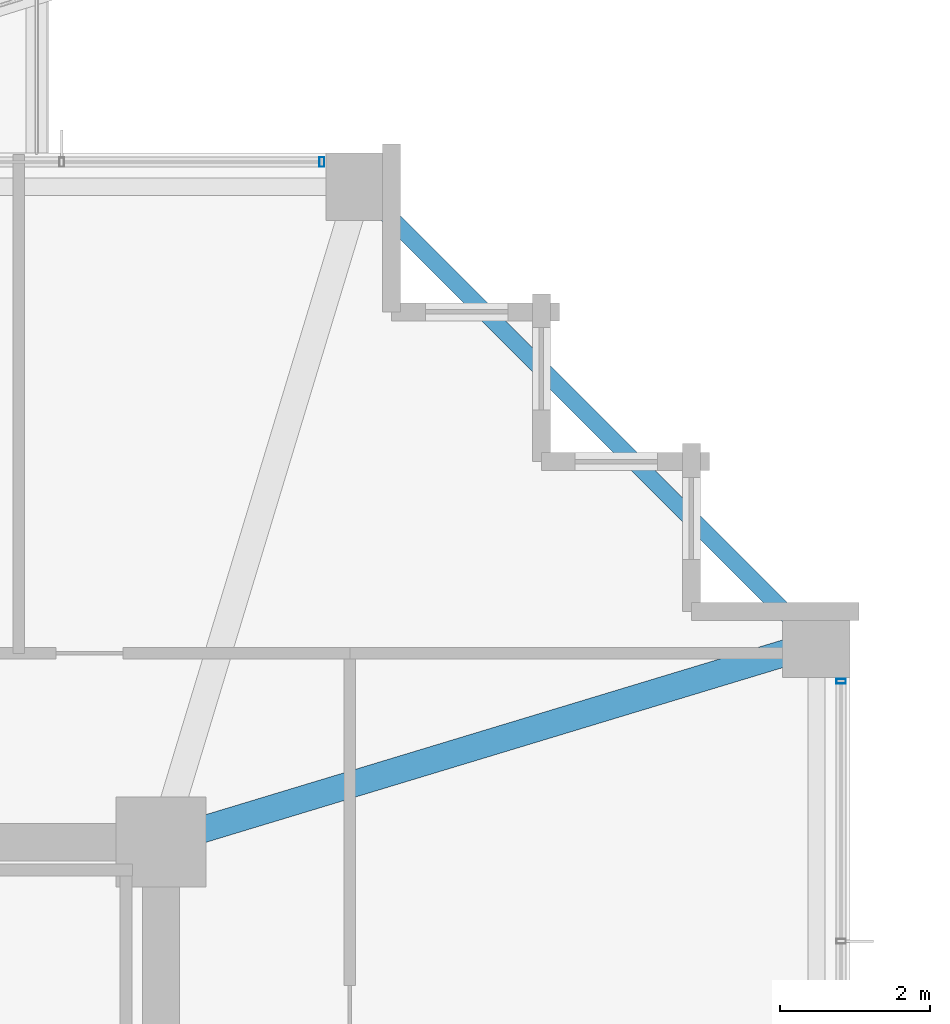
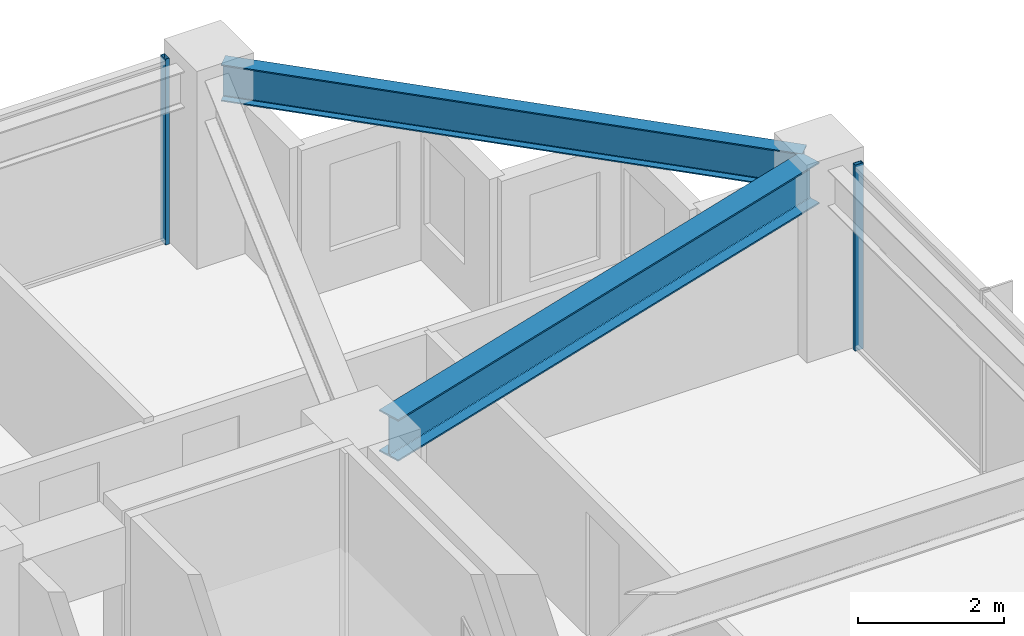
# One storey, part 20 of 32: 2 beams, 2 members, 2 elements without a shape of their own.
"""IFC4 building model written with IfcOpenShell, lengths in metres."""

from ifc_helpers import new_model, si_unit, direction, frame, origin, origin_2d, place, context, subcontext, project, spatial, hollow_rectangle, i_section, extrude, material, material_profile, profile_set, type_object, element, aggregate, save


model = new_model("IFC4")

# Units and contexts
model_context = context("Model", 3, precision=1e-05, world=origin(), true_north=direction((0.0, 1.0)))
body_context = subcontext(model_context, "Body", "Model", "MODEL_VIEW")
ifc_project = project(units=[si_unit("LENGTHUNIT", "METRE"), si_unit("AREAUNIT", "SQUARE_METRE"), si_unit("VOLUMEUNIT", "CUBIC_METRE"), si_unit("PLANEANGLEUNIT", "RADIAN"), si_unit("MASSUNIT", "GRAM", prefix="KILO")], contexts=[model_context])

# Site, building, storey
site_placement = place(None, origin())
site = spatial("IfcSite", under=ifc_project, at=site_placement, CompositionType="ELEMENT")
building_placement = place(site_placement, origin())
building = spatial("IfcBuilding", under=site, at=building_placement, Name="Kolvaren Belvedere", CompositionType="ELEMENT")
storey_placement = place(building_placement, frame((0.0, 0.0, 160.199951171875)))
storey = spatial("IfcBuildingStorey", under=building, at=storey_placement, Name="L46", CompositionType="ELEMENT", Elevation=160.199951171875)

# Beams
ifc_material_1 = material(Name="Structural steel ASTM A992 Grade 50", Category="steel")
ifc_material_profile_1 = material_profile(ifc_material_1, i_section(OverallWidth=0.35498046875, OverallDepth=0.696044921875, WebThickness=0.015380859375, FlangeThickness=0.02490234375, FilletRadius=0.02197265625, at=origin_2d()), Name="W27X146")
ifc_profile_set_1 = profile_set([ifc_material_profile_1], Name="Structural steel ASTM A992 Grade 50")
beam_type_1 = type_object("IfcBeamType", Name="BM-GIRD-W27X146", PredefinedType="BEAM", material=ifc_profile_set_1)
beam_1_placement = place(storey_placement, frame((10.426513671875, 10.059326171875, 2.751953125), z_axis=(0.957067352423, 0.289865629086, 0.0), x_axis=(-0.289865629086, 0.957067352423, 0.0)))
element("IfcBeam", 1, at=beam_1_placement, inside=storey, type_object=beam_type_1, Name="L46 Corner Core-to-Perimeter Girder CC3-E4", PredefinedType="BEAM", context=body_context, shape_type="SweptSolid", body=[
    extrude(i_section(OverallWidth=0.35498046875, OverallDepth=0.696044921875, WebThickness=0.015380859375, FlangeThickness=0.02490234375, FilletRadius=0.02197265625, at=origin_2d()), origin(), (0.0, 0.0, 1.0), 8.412353515625),
])
ifc_material_2 = material(Name="Structural steel ASTM A992 Grade 50", Category="steel")
ifc_material_profile_2 = material_profile(ifc_material_2, i_section(OverallWidth=0.22900390625, OverallDepth=0.612060546875, WebThickness=0.011962890625, FlangeThickness=0.01953125, FilletRadius=0.01806640625, at=origin_2d()), Name="W24X84")
ifc_profile_set_2 = profile_set([ifc_material_profile_2], Name="Structural steel ASTM A992 Grade 50")
beam_type_2 = type_object("IfcBeamType", Name="BM-SPAN-W24X84", PredefinedType="SPANDREL", material=ifc_profile_set_2)
beam_2_placement = place(storey_placement, frame((18.5068359375, 12.693115234375, 2.7939453125), z_axis=(-0.707106781187, 0.707106781187, 0.0), x_axis=(-0.707106781187, -0.707106781187, 0.0)))
element("IfcBeam", 2, at=beam_2_placement, inside=storey, type_object=beam_type_2, Name="L46 Perimeter Spandrel E4-N4", PredefinedType="SPANDREL", context=body_context, shape_type="SweptSolid", body=[
    extrude(i_section(OverallWidth=0.22900390625, OverallDepth=0.612060546875, WebThickness=0.011962890625, FlangeThickness=0.01953125, FilletRadius=0.01806640625, at=origin_2d()), origin(), (0.0, 0.0, 1.0), 8.221923828125),
])

# Curtain wall, member
ifc_material_3 = material(Name="Anodised pale-metal aluminium AA 6063-T6", Category="aluminium")
curtain_wall_type = type_object("IfcCurtainWallType", Name="CW-Z3-WAIST", PredefinedType="NOTDEFINED", material=ifc_material_3)
curtain_wall_1_placement = place(storey_placement, origin())
curtain_wall_1 = element("IfcCurtainWall", 3, at=curtain_wall_1_placement, inside=storey, type_object=curtain_wall_type, Name="L46 Unitised Curtain Wall FCW-L46-E-B1", PredefinedType="NOTDEFINED")
ifc_material_4 = material(Name="Anodised pale-metal aluminium AA 6063-T6", Category="aluminium")
ifc_material_profile_3 = material_profile(ifc_material_4, hollow_rectangle(XDim=0.06494140625, YDim=0.1298828125, WallThickness=0.00390625, at=origin_2d()), Name="ALU-MUL-130X65")
ifc_profile_set_3 = profile_set([ifc_material_profile_3], Name="Anodised pale-metal aluminium AA 6063-T6")
member_type = type_object("IfcMemberType", Name="CW-MUL-130", PredefinedType="MULLION", material=ifc_profile_set_3)
member_1_placement = place(storey_placement, frame((18.97998046875, 12.047607421875, 0.0), z_axis=(0.0, 0.0, 1.0), x_axis=(0.0, 1.0, 0.0)))
member_1 = element("IfcMember", 4, at=member_1_placement, type_object=member_type, Name="FCW-L46-E-B1 Unitised Mullion 1", PredefinedType="MULLION", context=body_context, shape_type="SweptSolid", body=[
    extrude(hollow_rectangle(XDim=0.06494140625, YDim=0.1298828125, WallThickness=0.00390625, at=origin_2d()), origin(), (0.0, 0.0, 1.0), 3.10009765625),
])
aggregate(curtain_wall_1, [member_1])

curtain_wall_2_placement = place(storey_placement, origin())
curtain_wall_2 = element("IfcCurtainWall", 5, at=curtain_wall_2_placement, inside=storey, type_object=curtain_wall_type, Name="L46 Unitised Curtain Wall FCW-L46-N2-B2", PredefinedType="NOTDEFINED")
member_2_placement = place(storey_placement, frame((12.047607421875, 18.97998046875, 0.0), z_axis=(0.0, 0.0, 1.0), x_axis=(1.0, 0.0, 0.0)))
member_2 = element("IfcMember", 6, at=member_2_placement, type_object=member_type, Name="FCW-L46-N2-B2 Unitised Mullion 3", PredefinedType="MULLION", context=body_context, shape_type="SweptSolid", body=[
    extrude(hollow_rectangle(XDim=0.06494140625, YDim=0.1298828125, WallThickness=0.00390625, at=origin_2d()), origin(), (0.0, 0.0, 1.0), 3.10009765625),
])
aggregate(curtain_wall_2, [member_2])

save(model, "model.ifc")
